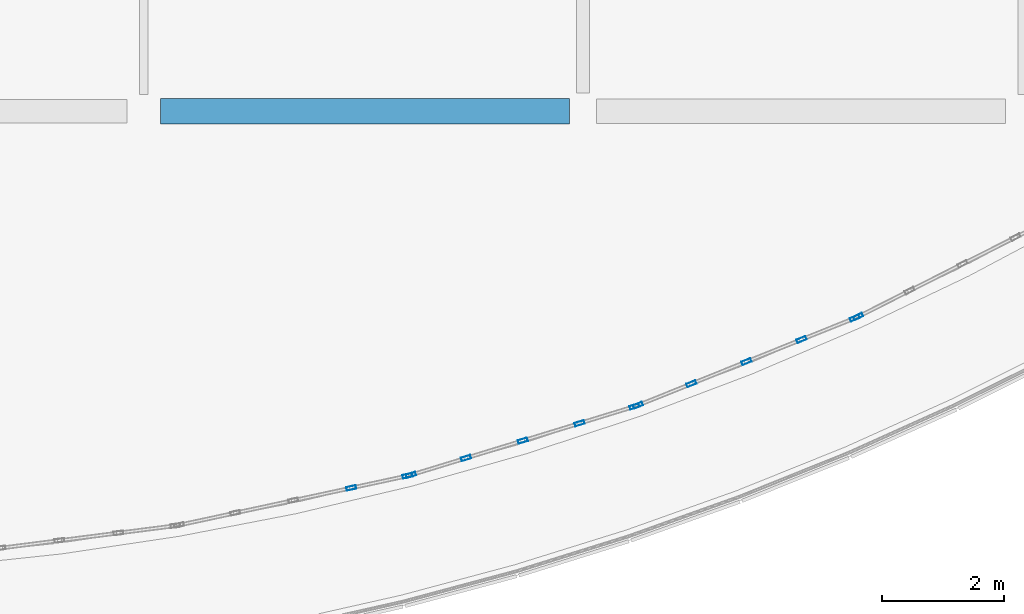
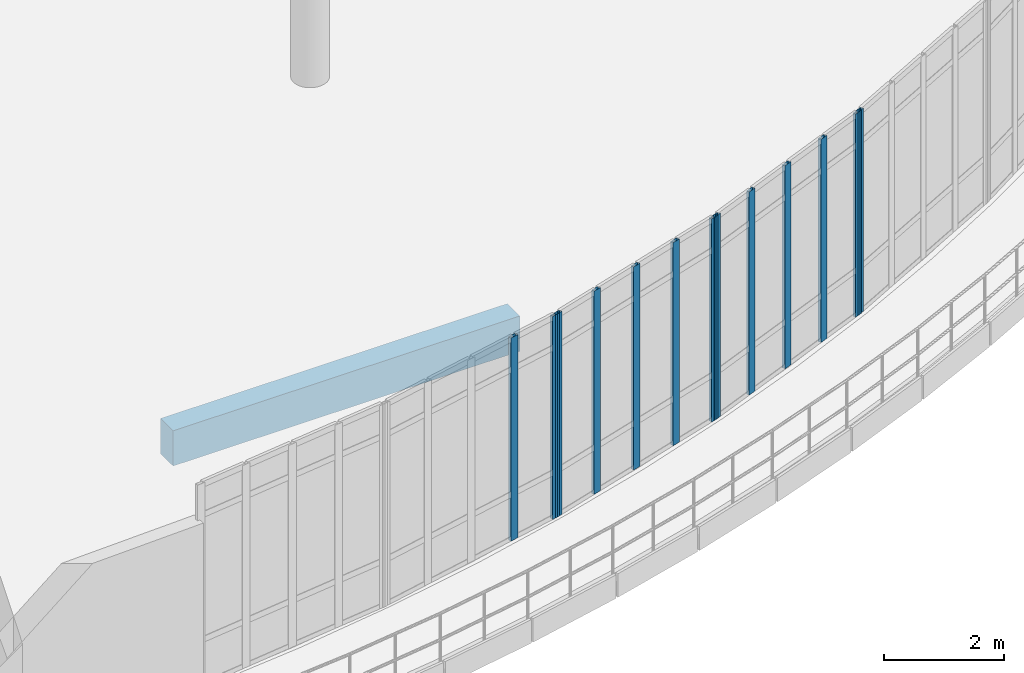
# One storey, part 36 of 116: 13 members, 1 beam, 4 elements without a shape of their own.
"""IFC4 building model written with IfcOpenShell, lengths in metres."""

from ifc_helpers import new_model, si_unit, direction, frame, origin, origin_2d, place, context, subcontext, project, spatial, rectangle, hollow_rectangle, extrude, material, material_profile, profile_set, type_object, element, aggregate, save


model = new_model("IFC4")

# Units and contexts
model_context = context("Model", 3, precision=1e-05, world=origin(), true_north=direction((0.0, 1.0)))
body_context = subcontext(model_context, "Body", "Model", "MODEL_VIEW")
ifc_project = project(units=[si_unit("LENGTHUNIT", "METRE"), si_unit("AREAUNIT", "SQUARE_METRE"), si_unit("VOLUMEUNIT", "CUBIC_METRE"), si_unit("PLANEANGLEUNIT", "RADIAN"), si_unit("MASSUNIT", "GRAM", prefix="KILO")], contexts=[model_context])

# Site, building, storey
site_placement = place(None, origin())
site = spatial("IfcSite", under=ifc_project, at=site_placement, CompositionType="ELEMENT")
building_placement = place(site_placement, origin())
building = spatial("IfcBuilding", under=site, at=building_placement, Name="Kalluvel Institute of Natural Sciences", CompositionType="ELEMENT")
storey_placement = place(building_placement, frame((0.0, 0.0, 14.39990234375)))
storey = spatial("IfcBuildingStorey", under=building, at=storey_placement, Name="L03", CompositionType="ELEMENT", Elevation=14.39990234375)

# Beam
ifc_material_1 = material(Name="Concrete M40", Category="concrete")
ifc_material_profile_1 = material_profile(ifc_material_1, rectangle(XDim=0.419921875, YDim=0.719970703125, at=origin_2d()), Name="RCB 420x720")
ifc_profile_set_1 = profile_set([ifc_material_profile_1], Name="Concrete M40")
beam_type = type_object("IfcBeamType", Name="BM-RC420x720", PredefinedType="BEAM", material=ifc_profile_set_1)
beam_placement = place(storey_placement, frame((43.074951171875, 64.39990234375, -0.679931640625), z_axis=(1.0, 0.0, 0.0), x_axis=(0.0, 1.0, 0.0)))
element("IfcBeam", 1, at=beam_placement, inside=storey, type_object=beam_type, Name="L03 girder GIR-L03-EW-X428-Y644", PredefinedType="BEAM", context=body_context, shape_type="SweptSolid", body=[
    extrude(rectangle(XDim=0.419921875, YDim=0.719970703125, at=origin_2d()), origin(), (0.0, 0.0, 1.0), 6.699951171875),
])

# Curtain wall, members
ifc_material_2 = material(Name="Aluminium AW-6063 T6", Category="aluminium")
curtain_wall_type = type_object("IfcCurtainWallType", Name="CW-ATR-ARC", PredefinedType="USERDEFINED", material=ifc_material_2)
curtain_wall_1_placement = place(storey_placement, origin())
curtain_wall_1 = element("IfcCurtainWall", 2, at=curtain_wall_1_placement, inside=storey, type_object=curtain_wall_type, Name="L03 Gothic lancet curtain wall CWA-L03-X433-Y576", ObjectType="UNITISED LANCET FACADE", PredefinedType="USERDEFINED")
ifc_material_profile_2 = material_profile(ifc_material_2, hollow_rectangle(XDim=0.06005859375, YDim=0.159912109375, WallThickness=0.00390625, at=origin_2d()), Name="CWM 60x160")
ifc_profile_set_2 = profile_set([ifc_material_profile_2], Name="Aluminium AW-6063 T6")
member_type = type_object("IfcMemberType", Name="CWM-60x160", PredefinedType="MULLION", material=ifc_profile_set_2)
member_1_placement = place(storey_placement, frame((46.2021484375, 58.224365234375, 0.0), z_axis=(0.0, 0.0, 1.0), x_axis=(-0.210671296949, 0.977556957237, 0.0)))
member_1 = element("IfcMember", 3, at=member_1_placement, type_object=member_type, Name="CW-05 mullion 4", PredefinedType="MULLION", context=body_context, shape_type="SweptSolid", body=[
    extrude(hollow_rectangle(XDim=0.06005859375, YDim=0.159912109375, WallThickness=0.00390625, at=origin_2d()), origin(), (0.0, 0.0, 1.0), 4.150146484375),
])
member_2_placement = place(storey_placement, frame((47.123779296875, 58.423095703125, 0.0), z_axis=(0.0, 0.0, 1.0), x_axis=(-0.210671296949, 0.977556957237, 0.0)))
member_2 = element("IfcMember", 4, at=member_2_placement, type_object=member_type, Name="CW-05 mullion 5", PredefinedType="MULLION", context=body_context, shape_type="SweptSolid", body=[
    extrude(hollow_rectangle(XDim=0.06005859375, YDim=0.159912109375, WallThickness=0.00390625, at=origin_2d()), origin(), (0.0, 0.0, 1.0), 4.150146484375),
])
aggregate(curtain_wall_1, [member_1, member_2])

curtain_wall_2_placement = place(storey_placement, origin())
curtain_wall_2 = element("IfcCurtainWall", 5, at=curtain_wall_2_placement, inside=storey, type_object=curtain_wall_type, Name="L03 Gothic lancet curtain wall CWA-L03-X472-Y584", ObjectType="UNITISED LANCET FACADE", PredefinedType="USERDEFINED")
member_3_placement = place(storey_placement, frame((47.181884765625, 58.438232421875, 0.0), z_axis=(0.0, 0.0, 1.0), x_axis=(-0.292837966282, 0.956162081189, 0.0)))
member_3 = element("IfcMember", 6, at=member_3_placement, type_object=member_type, Name="CW-05 mullion 1", PredefinedType="MULLION", context=body_context, shape_type="SweptSolid", body=[
    extrude(hollow_rectangle(XDim=0.06005859375, YDim=0.159912109375, WallThickness=0.00390625, at=origin_2d()), origin(), (0.0, 0.0, 1.0), 4.150146484375),
])
member_4_placement = place(storey_placement, frame((48.08349609375, 58.71435546875, 0.0), z_axis=(0.0, 0.0, 1.0), x_axis=(-0.292837966282, 0.956162081189, 0.0)))
member_4 = element("IfcMember", 7, at=member_4_placement, type_object=member_type, Name="CW-05 mullion 2", PredefinedType="MULLION", context=body_context, shape_type="SweptSolid", body=[
    extrude(hollow_rectangle(XDim=0.06005859375, YDim=0.159912109375, WallThickness=0.00390625, at=origin_2d()), origin(), (0.0, 0.0, 1.0), 4.150146484375),
])
member_5_placement = place(storey_placement, frame((49.013916015625, 58.999267578125, 0.0), z_axis=(0.0, 0.0, 1.0), x_axis=(-0.292837966282, 0.956162081189, 0.0)))
member_5 = element("IfcMember", 8, at=member_5_placement, type_object=member_type, Name="CW-05 mullion 3", PredefinedType="MULLION", context=body_context, shape_type="SweptSolid", body=[
    extrude(hollow_rectangle(XDim=0.06005859375, YDim=0.159912109375, WallThickness=0.00390625, at=origin_2d()), origin(), (0.0, 0.0, 1.0), 4.150146484375),
])
member_6_placement = place(storey_placement, frame((49.944091796875, 59.2841796875, 0.0), z_axis=(0.0, 0.0, 1.0), x_axis=(-0.292837966282, 0.956162081189, 0.0)))
member_6 = element("IfcMember", 9, at=member_6_placement, type_object=member_type, Name="CW-05 mullion 4", PredefinedType="MULLION", context=body_context, shape_type="SweptSolid", body=[
    extrude(hollow_rectangle(XDim=0.06005859375, YDim=0.159912109375, WallThickness=0.00390625, at=origin_2d()), origin(), (0.0, 0.0, 1.0), 4.150146484375),
])
member_7_placement = place(storey_placement, frame((50.845703125, 59.560302734375, 0.0), z_axis=(0.0, 0.0, 1.0), x_axis=(-0.292837966282, 0.956162081189, 0.0)))
member_7 = element("IfcMember", 10, at=member_7_placement, type_object=member_type, Name="CW-05 mullion 5", PredefinedType="MULLION", context=body_context, shape_type="SweptSolid", body=[
    extrude(hollow_rectangle(XDim=0.06005859375, YDim=0.159912109375, WallThickness=0.00390625, at=origin_2d()), origin(), (0.0, 0.0, 1.0), 4.150146484375),
])
aggregate(curtain_wall_2, [member_3, member_4, member_5, member_6, member_7])

curtain_wall_3_placement = place(storey_placement, origin())
curtain_wall_3 = element("IfcCurtainWall", 11, at=curtain_wall_3_placement, inside=storey, type_object=curtain_wall_type, Name="L03 Gothic lancet curtain wall CWA-L03-X509-Y596", ObjectType="UNITISED LANCET FACADE", PredefinedType="USERDEFINED")
member_8_placement = place(storey_placement, frame((50.90234375, 59.580322265625, 0.0), z_axis=(0.0, 0.0, 1.0), x_axis=(-0.372856586254, 0.927888983708, 0.0)))
member_8 = element("IfcMember", 12, at=member_8_placement, type_object=member_type, Name="CW-05 mullion 1", PredefinedType="MULLION", context=body_context, shape_type="SweptSolid", body=[
    extrude(hollow_rectangle(XDim=0.06005859375, YDim=0.159912109375, WallThickness=0.00390625, at=origin_2d()), origin(), (0.0, 0.0, 1.0), 4.150146484375),
])
member_9_placement = place(storey_placement, frame((51.77734375, 59.931884765625, 0.0), z_axis=(0.0, 0.0, 1.0), x_axis=(-0.372856586254, 0.927888983708, 0.0)))
member_9 = element("IfcMember", 13, at=member_9_placement, type_object=member_type, Name="CW-05 mullion 2", PredefinedType="MULLION", context=body_context, shape_type="SweptSolid", body=[
    extrude(hollow_rectangle(XDim=0.06005859375, YDim=0.159912109375, WallThickness=0.00390625, at=origin_2d()), origin(), (0.0, 0.0, 1.0), 4.150146484375),
])
member_10_placement = place(storey_placement, frame((52.68017578125, 60.294677734375, 0.0), z_axis=(0.0, 0.0, 1.0), x_axis=(-0.372856586254, 0.927888983708, 0.0)))
member_10 = element("IfcMember", 14, at=member_10_placement, type_object=member_type, Name="CW-05 mullion 3", PredefinedType="MULLION", context=body_context, shape_type="SweptSolid", body=[
    extrude(hollow_rectangle(XDim=0.06005859375, YDim=0.159912109375, WallThickness=0.00390625, at=origin_2d()), origin(), (0.0, 0.0, 1.0), 4.150146484375),
])
member_11_placement = place(storey_placement, frame((53.5830078125, 60.657470703125, 0.0), z_axis=(0.0, 0.0, 1.0), x_axis=(-0.372856586254, 0.927888983708, 0.0)))
member_11 = element("IfcMember", 15, at=member_11_placement, type_object=member_type, Name="CW-05 mullion 4", PredefinedType="MULLION", context=body_context, shape_type="SweptSolid", body=[
    extrude(hollow_rectangle(XDim=0.06005859375, YDim=0.159912109375, WallThickness=0.00390625, at=origin_2d()), origin(), (0.0, 0.0, 1.0), 4.150146484375),
])
member_12_placement = place(storey_placement, frame((54.457763671875, 61.009033203125, 0.0), z_axis=(0.0, 0.0, 1.0), x_axis=(-0.372856586254, 0.927888983708, 0.0)))
member_12 = element("IfcMember", 16, at=member_12_placement, type_object=member_type, Name="CW-05 mullion 5", PredefinedType="MULLION", context=body_context, shape_type="SweptSolid", body=[
    extrude(hollow_rectangle(XDim=0.06005859375, YDim=0.159912109375, WallThickness=0.00390625, at=origin_2d()), origin(), (0.0, 0.0, 1.0), 4.150146484375),
])
aggregate(curtain_wall_3, [member_8, member_9, member_10, member_11, member_12])

# Curtain wall, member
curtain_wall_4_placement = place(storey_placement, origin())
curtain_wall_4 = element("IfcCurtainWall", 17, at=curtain_wall_4_placement, inside=storey, type_object=curtain_wall_type, Name="L03 Gothic lancet curtain wall CWA-L03-X545-Y610", ObjectType="UNITISED LANCET FACADE", PredefinedType="USERDEFINED")
member_13_placement = place(storey_placement, frame((54.512451171875, 61.03369140625, 0.0), z_axis=(0.0, 0.0, 1.0), x_axis=(-0.450201992484, 0.892926741655, 0.0)))
member_13 = element("IfcMember", 18, at=member_13_placement, type_object=member_type, Name="CW-05 mullion 1", PredefinedType="MULLION", context=body_context, shape_type="SweptSolid", body=[
    extrude(hollow_rectangle(XDim=0.06005859375, YDim=0.159912109375, WallThickness=0.00390625, at=origin_2d()), origin(), (0.0, 0.0, 1.0), 4.150146484375),
])
aggregate(curtain_wall_4, [member_13])

save(model, "model.ifc")
